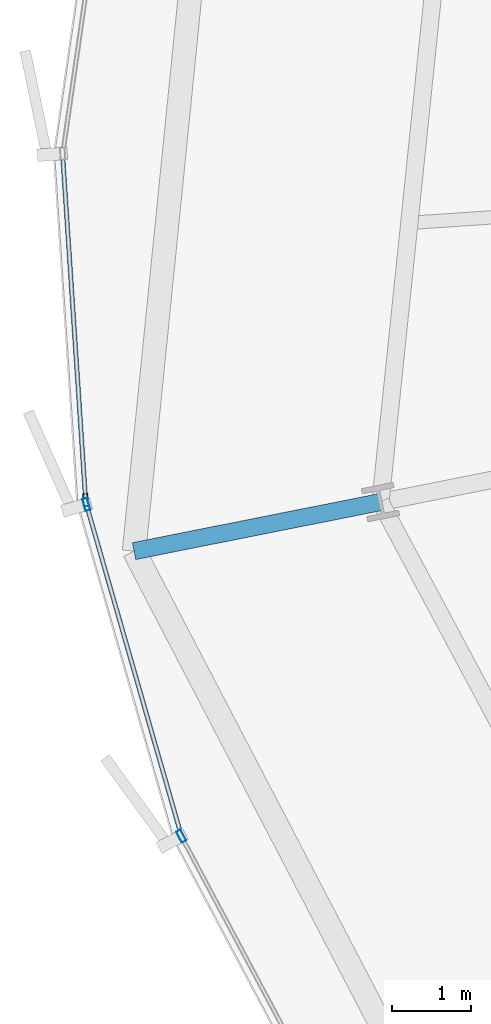
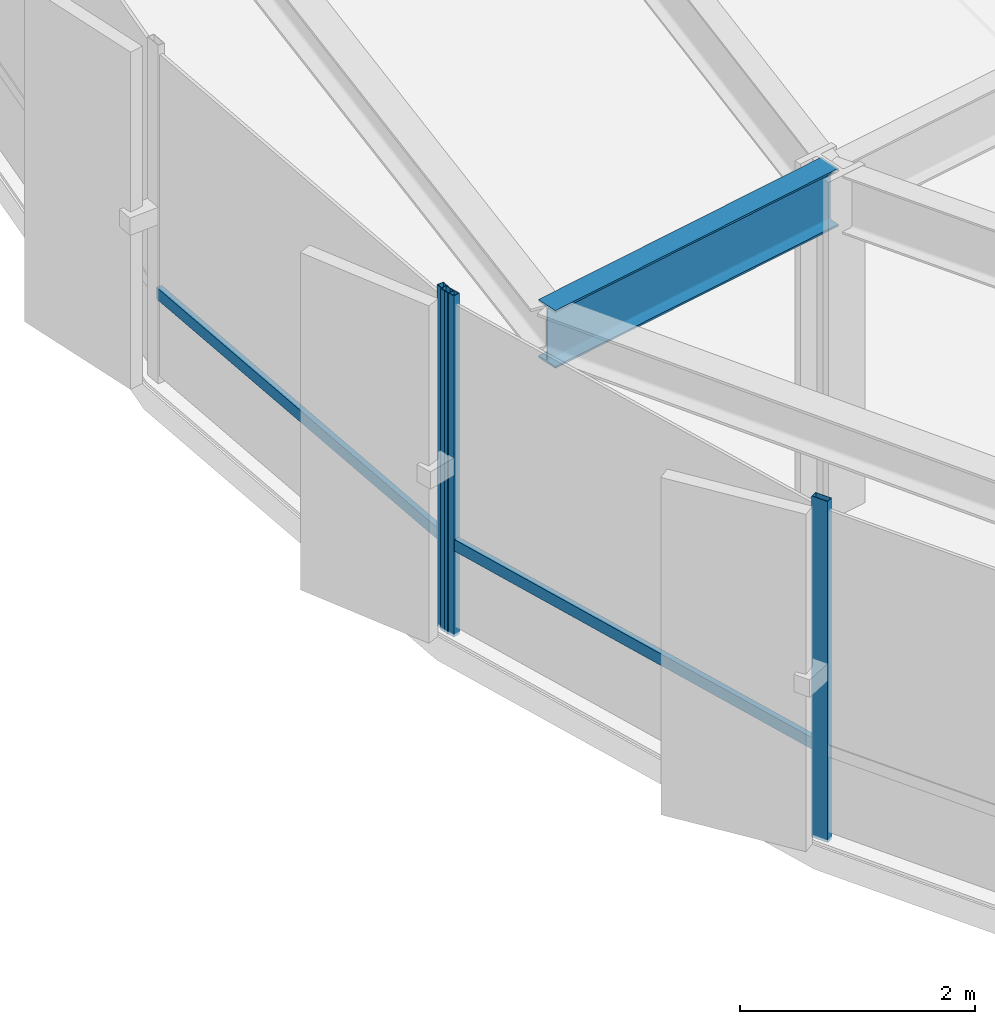
# One storey, part 6 of 35: 5 members, 1 beam, 2 elements without a shape of their own.
"""IFC4 building model written with IfcOpenShell, lengths in metres."""

from ifc_helpers import new_model, si_unit, direction, frame, origin, origin_2d, place, context, subcontext, project, spatial, hollow_rectangle, i_section, extrude, source, transform, mapped, material, layer, layer_set, material_profile, profile_set, type_object, element, aggregate, save


model = new_model("IFC4")

# Units and contexts
model_context = context("Model", 3, precision=1e-05, world=origin(), true_north=direction((0.0, 1.0)))
body_context = subcontext(model_context, "Body", "Model", "MODEL_VIEW")
ifc_project = project(units=[si_unit("LENGTHUNIT", "METRE"), si_unit("AREAUNIT", "SQUARE_METRE"), si_unit("VOLUMEUNIT", "CUBIC_METRE"), si_unit("PLANEANGLEUNIT", "RADIAN"), si_unit("MASSUNIT", "GRAM", prefix="KILO"), si_unit("THERMODYNAMICTEMPERATUREUNIT", "KELVIN")], contexts=[model_context])

# Site, building, storey
site_placement = place(None, origin())
site = spatial("IfcSite", under=ifc_project, at=site_placement, CompositionType="ELEMENT")
building_placement = place(site_placement, origin())
building = spatial("IfcBuilding", under=site, at=building_placement, Name="Kethvar Cultural Tower", CompositionType="ELEMENT")
storey_placement = place(building_placement, frame((0.0, 0.0, 71.39990234375)))
storey = spatial("IfcBuildingStorey", under=building, at=storey_placement, Name="L17", CompositionType="ELEMENT", Elevation=71.39990234375)

# Beam
ifc_material_1 = material(Name="Steel S355J2", Category="steel")
ifc_material_profile_1 = material_profile(ifc_material_1, i_section(OverallWidth=0.219970703125, OverallDepth=0.60009765625, WebThickness=0.011962890625, FlangeThickness=0.01904296875, FilletRadius=0.02392578125, at=origin_2d()), Name="Steel S355J2 — IPE600")
ifc_profile_set_1 = profile_set([ifc_material_profile_1], Name="Steel S355J2 — IPE600")
beam_type = type_object("IfcBeamType", Name="BM-IPE600", PredefinedType="BEAM", material=ifc_profile_set_1)
shared_shape_1 = source(origin(), body_context, "Body", "SweptSolid", [
    extrude(i_section(OverallWidth=0.219970703125, OverallDepth=0.60009765625, WebThickness=0.011962890625, FlangeThickness=0.01904296875, FilletRadius=0.02392578125, at=origin_2d()), origin(), (0.0, 0.0, 1.0), 3.199951171875),
])
beam_placement = place(storey_placement, frame((19.9658203125, 22.46240234375, 3.238037109375), z_axis=(-0.980785550224, -0.195088965533, 0.0), x_axis=(0.195088965533, -0.980785550224, 0.0)))
element("IfcBeam", 1, at=beam_placement, inside=storey, type_object=beam_type, Name="L17 Perimeter Cantilever Beam RC-09", PredefinedType="BEAM", context=body_context, shape_type="MappedRepresentation", body=[
    mapped(shared_shape_1, transform((0.0, 0.0, 0.0), scale=1.0)),
])

# Curtain wall, member
ifc_material_2 = material(Name="Aluminium 6063-T6", Category="aluminium")
ifc_layer = layer(ifc_material_2, 0.179931640625, Name="Aluminium 6063-T6", Category="aluminium")
ifc_layer_set = layer_set([ifc_layer], Name="Aluminium 6063-T6 (180 mm)")
curtain_wall_type = type_object("IfcCurtainWallType", Name="CW-SYS-02-Z1", PredefinedType="NOTDEFINED", material=ifc_layer_set)
curtain_wall_1_placement = place(storey_placement, origin())
curtain_wall_1 = element("IfcCurtainWall", 2, at=curtain_wall_1_placement, inside=storey, type_object=curtain_wall_type, Name="L17 Curtain Wall Run 03", PredefinedType="NOTDEFINED")
ifc_material_profile_2 = material_profile(ifc_material_2, hollow_rectangle(XDim=0.06494140625, YDim=0.159912109375, WallThickness=0.0048828125, at=origin_2d()), Name="Aluminium 6063-T6 — RHS160x65x5")
ifc_profile_set_2 = profile_set([ifc_material_profile_2], Name="Aluminium 6063-T6 — RHS160x65x5")
member_type_1 = type_object("IfcMemberType", Name="CW-SYS-02-Z1-MUL", PredefinedType="MULLION", material=ifc_profile_set_2)
shared_shape_2 = source(origin(), body_context, "Body", "SweptSolid", [
    extrude(hollow_rectangle(XDim=0.06494140625, YDim=0.159912109375, WallThickness=0.0048828125, at=origin_2d()), origin(), (0.0, 0.0, 1.0), 3.5400390625),
])
member_1_placement = place(storey_placement, frame((16.209716796875, 22.49072265625, 0.0), z_axis=(0.0, 0.0, 1.0), x_axis=(0.997792204984, 0.066413219121, 0.0)))
member_1 = element("IfcMember", 3, at=member_1_placement, type_object=member_type_1, Name="CW-L17-R03 Mullion 7", PredefinedType="MULLION", context=body_context, shape_type="MappedRepresentation", body=[
    mapped(shared_shape_2, transform((0.0, 0.0, 0.0), scale=1.0)),
])

# Curtain wall, members
curtain_wall_2_placement = place(storey_placement, origin())
curtain_wall_2 = element("IfcCurtainWall", 4, at=curtain_wall_2_placement, inside=storey, type_object=curtain_wall_type, Name="L17 Curtain Wall Run 04", PredefinedType="NOTDEFINED")
member_2_placement = place(storey_placement, frame((16.2197265625, 22.43310546875, 0.0), z_axis=(0.0, 0.0, 1.0), x_axis=(0.961300172803, 0.275503135678, 0.0)))
member_2 = element("IfcMember", 5, at=member_2_placement, type_object=member_type_1, Name="CW-L17-R04 Mullion 1", PredefinedType="MULLION", context=body_context, shape_type="MappedRepresentation", body=[
    mapped(shared_shape_2, transform((0.0, 0.0, 0.0), scale=1.0)),
])
member_3_placement = place(storey_placement, frame((17.42822265625, 18.207275390625, 0.0), z_axis=(0.0, 0.0, 1.0), x_axis=(0.8829393989, 0.469486973057, 0.0)))
member_3 = element("IfcMember", 6, at=member_3_placement, type_object=member_type_1, Name="CW-L17-R04 Mullion 2", PredefinedType="MULLION", context=body_context, shape_type="MappedRepresentation", body=[
    mapped(shared_shape_2, transform((0.0, 0.0, 0.0), scale=1.0)),
])

# Member
ifc_material_profile_3 = material_profile(ifc_material_2, hollow_rectangle(XDim=0.054931640625, YDim=0.1201171875, WallThickness=0.00390625, at=origin_2d()), Name="Aluminium 6063-T6 — RHS120x55x4")
ifc_profile_set_3 = profile_set([ifc_material_profile_3], Name="Aluminium 6063-T6 — RHS120x55x4")
member_type_2 = type_object("IfcMemberType", Name="CW-SYS-02-Z1-TRN", PredefinedType="USERDEFINED", material=ifc_profile_set_3)
shared_shape_3 = source(origin(), body_context, "Body", "SweptSolid", [
    extrude(hollow_rectangle(XDim=0.054931640625, YDim=0.1201171875, WallThickness=0.00390625, at=origin_2d()), origin(), (0.0, 0.0, 1.0), 4.369140625),
])
member_4_placement = place(storey_placement, frame((15.919189453125, 26.854736328125, 0.9501953125), z_axis=(0.066441124709, -0.997790347191, 0.0), x_axis=(0.997790347191, 0.066441124709, 0.0)))
member_4 = element("IfcMember", 7, at=member_4_placement, type_object=member_type_2, Name="CW-L17-R03 Transom 6", ObjectType="TRANSOM", PredefinedType="USERDEFINED", context=body_context, shape_type="MappedRepresentation", body=[
    mapped(shared_shape_3, transform((0.0, 0.0, 0.0), scale=1.0)),
])

aggregate(curtain_wall_1, [member_1, member_4])

shared_shape_4 = source(origin(), body_context, "Body", "SweptSolid", [
    extrude(hollow_rectangle(XDim=0.054931640625, YDim=0.1201171875, WallThickness=0.00390625, at=origin_2d()), origin(), (0.0, 0.0, 1.0), 4.368896484375),
])
member_5_placement = place(storey_placement, frame((16.220947265625, 22.4287109375, 0.9501953125), z_axis=(0.27555503976, -0.961285295874, 0.0), x_axis=(0.961285295874, 0.27555503976, 0.0)))
member_5 = element("IfcMember", 8, at=member_5_placement, type_object=member_type_2, Name="CW-L17-R04 Transom 1", ObjectType="TRANSOM", PredefinedType="USERDEFINED", context=body_context, shape_type="MappedRepresentation", body=[
    mapped(shared_shape_4, transform((0.0, 0.0, 0.0), scale=1.0)),
])

aggregate(curtain_wall_2, [member_2, member_3, member_5])

save(model, "model.ifc")
